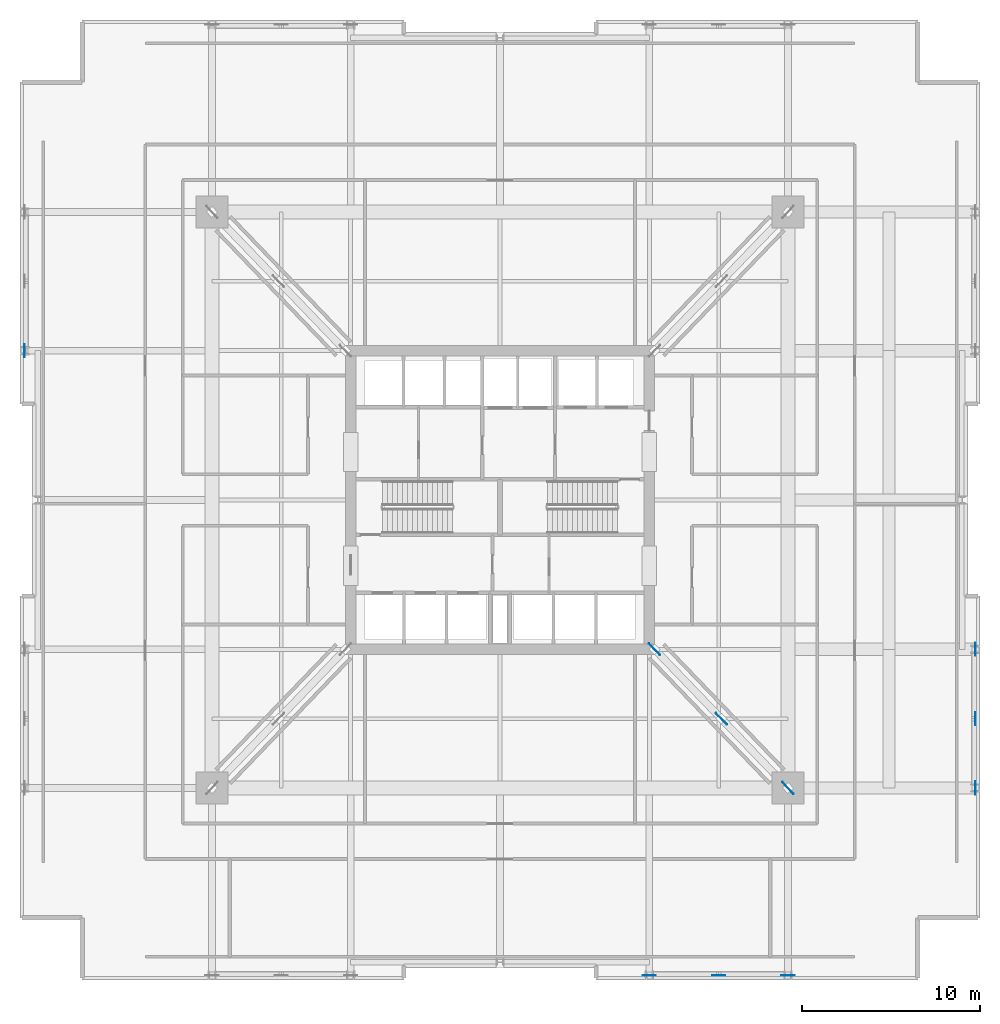
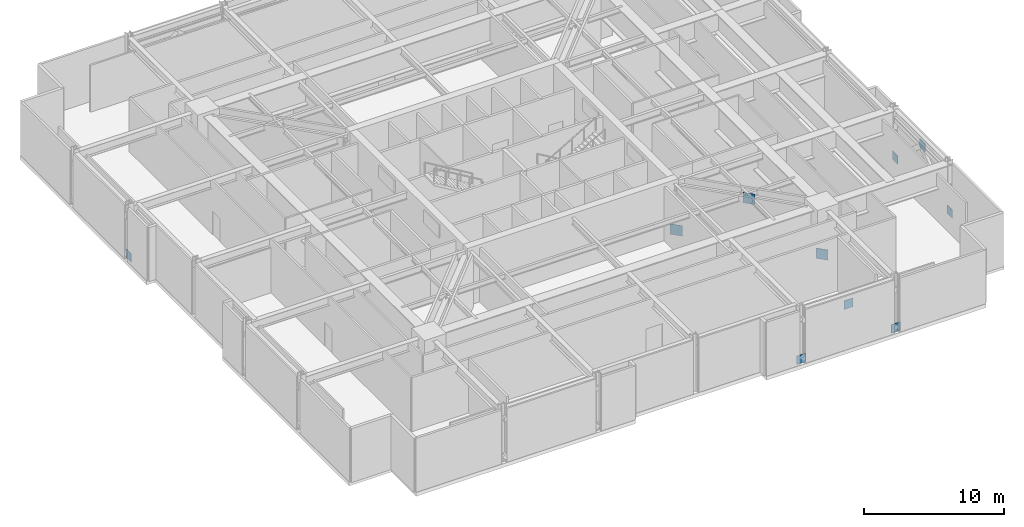
# One storey, part 5 of 13: 10 plates.
"""IFC4 building model written with IfcOpenShell, lengths in metres."""

from ifc_helpers import new_model, si_unit, direction, frame, origin, origin_2d, place, context, subcontext, project, spatial, rectangle, extrude, material, layer, layer_set, type_object, element, save


model = new_model("IFC4")

# Units and contexts
model_context = context("Model", 3, precision=1e-05, world=origin(), true_north=direction((0.0, 1.0)))
body_context = subcontext(model_context, "Body", "Model", "MODEL_VIEW")
ifc_project = project(units=[si_unit("LENGTHUNIT", "METRE"), si_unit("AREAUNIT", "SQUARE_METRE"), si_unit("VOLUMEUNIT", "CUBIC_METRE"), si_unit("PLANEANGLEUNIT", "RADIAN"), si_unit("MASSUNIT", "GRAM", prefix="KILO")], contexts=[model_context])

# Site, building, storey
site_placement = place(None, origin())
site = spatial("IfcSite", under=ifc_project, at=site_placement, CompositionType="ELEMENT")
building_placement = place(site_placement, origin())
building = spatial("IfcBuilding", under=site, at=building_placement, Name="Drelvath Grand Hotel", CompositionType="ELEMENT")
storey_placement = place(building_placement, frame((0.0, 0.0, 82.199951171875)))
storey = spatial("IfcBuildingStorey", under=building, at=storey_placement, Name="L20", CompositionType="ELEMENT", Elevation=82.199951171875)

# Plates
ifc_material = material(Name="Steel ASTM A572 Gr 50", Category="steel")
ifc_layer_1 = layer(ifc_material, 0.031982421875)
ifc_layer_set_1 = layer_set([ifc_layer_1], Name="Steel ASTM A572 Gr 50")
plate_type_1 = type_object("IfcPlateType", Name="Belt Truss Node Gusset Plate 32mm", PredefinedType="USERDEFINED", material=ifc_layer_set_1)
for number, where, z_axis, x_axis, name in (
    (1, (-26.75, 35.39990234375, -0.02490234375), (0.0, 0.0, 1.0), (0.0, 1.0, 0.0), "L20 Belt Truss Start Gusset BW-N"),
    (2, (26.75, 10.800048828125, -0.02490234375), (0.0, 0.0, 1.0), (0.0, 1.0, 0.0), "L20 Belt Truss Start Gusset BE-S"),
    (3, (26.75, 14.699951171875, 3.405029296875), (0.0, 0.0, 1.0), (0.0, 1.0, 0.0), "L20 Belt Truss Apex Gusset BE-S"),
    (4, (26.75, 18.60009765625, -0.02490234375), (0.0, 0.0, 1.0), (0.0, 1.0, 0.0), "L20 Belt Truss End Gusset BE-S"),
    (5, (8.39990234375, 0.25, -0.02490234375), (0.0, 0.0, 1.0), (1.0, 0.0, 0.0), "L20 Belt Truss Start Gusset BS-E"),
    (6, (12.300048828125, 0.25, 3.405029296875), (0.0, 0.0, 1.0), (1.0, 0.0, 0.0), "L20 Belt Truss Apex Gusset BS-E"),
    (7, (16.199951171875, 0.25, -0.02490234375), (0.0, 0.0, 1.0), (1.0, 0.0, 0.0), "L20 Belt Truss End Gusset BS-E"),
):
    element("IfcPlate", number, at=place(storey_placement, frame(where, z_axis=z_axis, x_axis=x_axis)), inside=storey, type_object=plate_type_1, Name=name, ObjectType="GUSSET_PLATE", PredefinedType="USERDEFINED", context=body_context, shape_type="SweptSolid", body=[
        extrude(rectangle(XDim=0.75, YDim=0.031982421875, at=origin_2d()), origin(), (0.0, 0.0, 1.0), 0.75),
    ])
ifc_layer_2 = layer(ifc_material, 0.0400390625)
ifc_layer_set_2 = layer_set([ifc_layer_2], Name="Steel ASTM A572 Gr 50")
plate_type_2 = type_object("IfcPlateType", Name="Outrigger Node Gusset Plate 40mm", PredefinedType="USERDEFINED", material=ifc_layer_set_2)
for number, where, z_axis, x_axis, name in (
    (8, (8.699951171875, 18.60009765625, -0.099853515625), (0.0, 0.0, 1.0), (0.693108716253, -0.720833064901, 0.0), "L20 Outrigger Node Gusset SE-1"),
    (9, (12.449951171875, 14.699951171875, 3.7001953125), (0.0, 0.0, 1.0), (0.693108716253, -0.720833064901, 0.0), "L20 Outrigger Node Gusset SE-2"),
    (10, (16.199951171875, 10.800048828125, -0.099853515625), (0.0, 0.0, 1.0), (0.693108716253, -0.720833064901, 0.0), "L20 Outrigger Node Gusset SE-3"),
):
    element("IfcPlate", number, at=place(storey_placement, frame(where, z_axis=z_axis, x_axis=x_axis)), inside=storey, type_object=plate_type_2, Name=name, ObjectType="GUSSET_PLATE", PredefinedType="USERDEFINED", context=body_context, shape_type="SweptSolid", body=[
        extrude(rectangle(XDim=0.89990234375, YDim=0.0400390625, at=origin_2d()), origin(), (0.0, 0.0, 1.0), 0.89990234375),
    ])

save(model, "model.ifc")
